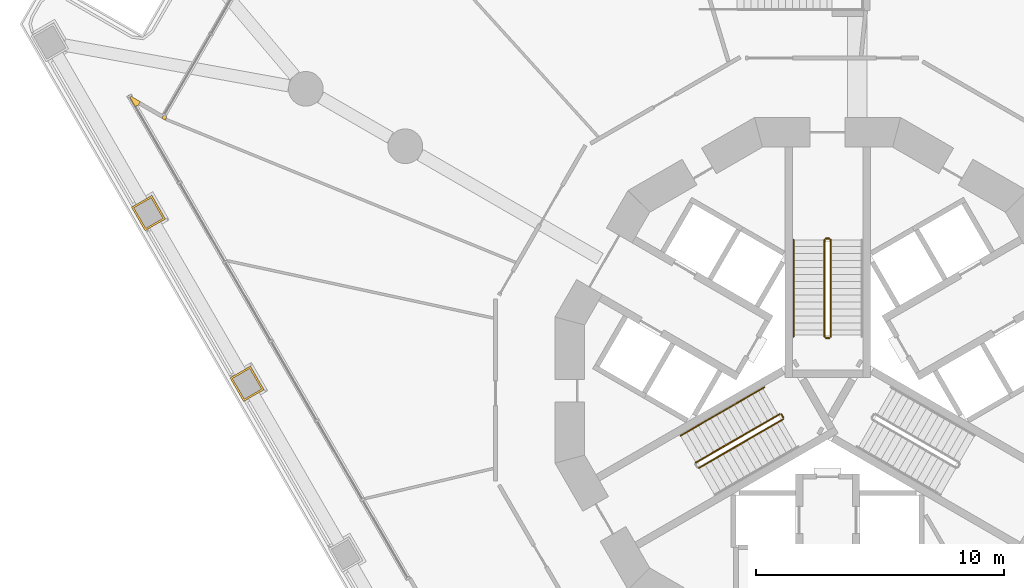
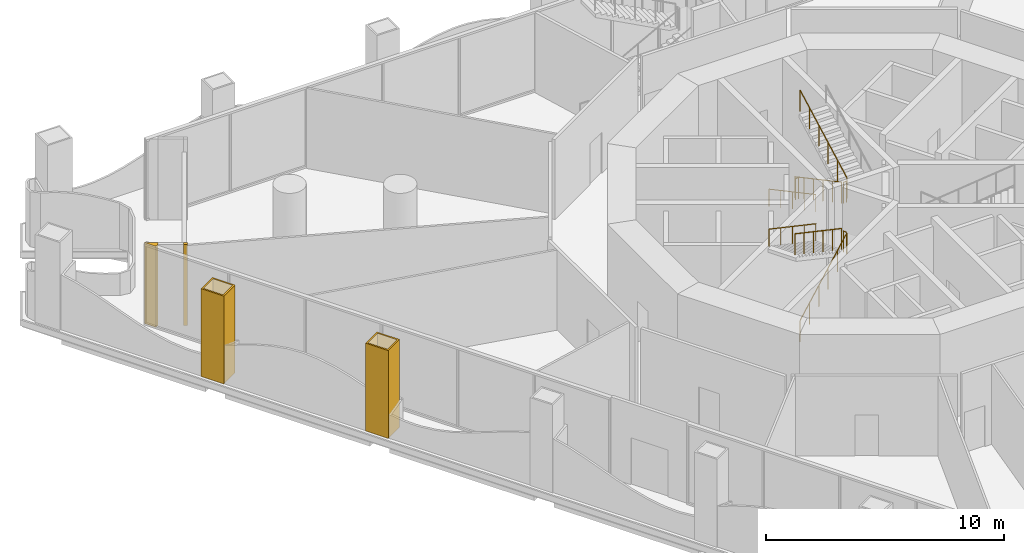
# One storey, part 18 of 21: 10 railings, 4 coverings.
"""IFC4 building model written with IfcOpenShell, lengths in metres."""

from ifc_helpers import new_model, si_unit, direction, frame, origin, origin_2d, place, context, subcontext, project, spatial, polyline, circle, outline, extrude, material, layer, layer_set, type_object, element, save


model = new_model("IFC4")

# Units and contexts
model_context = context("Model", 3, precision=1e-05, world=origin(), true_north=direction((0.0, 1.0)))
body_context = subcontext(model_context, "Body", "Model", "MODEL_VIEW")
ifc_project = project(units=[si_unit("LENGTHUNIT", "METRE"), si_unit("AREAUNIT", "SQUARE_METRE"), si_unit("VOLUMEUNIT", "CUBIC_METRE"), si_unit("PLANEANGLEUNIT", "RADIAN"), si_unit("MASSUNIT", "GRAM", prefix="KILO")], contexts=[model_context])

# Site, building, storey
site_placement = place(None, origin())
site = spatial("IfcSite", under=ifc_project, at=site_placement, CompositionType="ELEMENT")
building_placement = place(site_placement, origin())
building = spatial("IfcBuilding", under=site, at=building_placement, Name="Trine Commons Tower", CompositionType="ELEMENT")
storey_placement = place(building_placement, frame((0.0, 0.0, 9.0)))
storey = spatial("IfcBuildingStorey", under=building, at=storey_placement, Name="L01", CompositionType="ELEMENT", Elevation=9.0)

# Coverings
ifc_material_1 = material(Name="Aluminium-framed insulated wall panel", Category="aluminium")
ifc_layer_1 = layer(ifc_material_1, 0.14990234375)
ifc_layer_set_1 = layer_set([ifc_layer_1], Name="Aluminium-framed insulated wall panel")
covering_type_1 = type_object("IfcCoveringType", Name="Glazing corner post, aluminium", PredefinedType="CLADDING", material=ifc_layer_set_1)
covering_1_placement = place(storey_placement, origin())
element("IfcCovering", 1, at=covering_1_placement, inside=storey, type_object=covering_type_1, Name="Glazing corner post 1-01", PredefinedType="CLADDING", context=body_context, shape_type="SweptSolid", body=[
    extrude(outline(polyline([(51.75634765625, 74.43017578125), (51.75634765625, 74.43017578125), (52.036376953125, 73.9453125), (52.166259765625, 74.020263671875), (52.166259765625, 74.020263671875), (52.166259765625, 74.020263671875), (52.166259765625, 74.020263671875), (52.2412109375, 74.150146484375), (51.75634765625, 74.43017578125)])), origin(), (0.0, 0.0, 1.0), 4.14990234375),
])
covering_2_placement = place(storey_placement, origin())
element("IfcCovering", 2, at=covering_2_placement, inside=storey, type_object=covering_type_1, Name="Glazing corner post 1-02", PredefinedType="CLADDING", context=body_context, shape_type="SweptSolid", body=[
    extrude(outline(polyline([(53.1064453125, 73.4775390625), (53.236328125, 73.402587890625), (53.311279296875, 73.532470703125), (53.181396484375, 73.607421875), (53.1064453125, 73.4775390625)])), origin(), (0.0, 0.0, 1.0), 4.14990234375),
])
ifc_material_2 = material(Name="Limestone, honed", Category="masonry")
ifc_layer_2 = layer(ifc_material_2, 0.074951171875)
ifc_layer_set_2 = layer_set([ifc_layer_2], Name="Limestone, honed")
covering_type_2 = type_object("IfcCoveringType", Name="Limestone column cladding 75", PredefinedType="CLADDING", material=ifc_layer_set_2)
covering_3_placement = place(storey_placement, origin())
element("IfcCovering", 3, at=covering_3_placement, inside=storey, type_object=covering_type_2, Name="Limestone pier cladding 1-06", PredefinedType="CLADDING", context=body_context, shape_type="SweptSolid", body=[
    extrude(outline(polyline([(56.68359375, 63.46630859375), (55.860595703125, 62.9912109375), (56.41064453125, 62.03857421875), (57.2333984375, 62.513671875), (56.68359375, 63.46630859375)]), holes=[polyline([(56.656005859375, 63.36376953125), (55.963134765625, 62.9638671875), (56.438232421875, 62.14111328125), (57.131103515625, 62.541015625), (56.656005859375, 63.36376953125)])]), origin(), (0.0, 0.0, 1.0), 4.5),
])
covering_4_placement = place(storey_placement, origin())
element("IfcCovering", 4, at=covering_4_placement, inside=storey, type_object=covering_type_2, Name="Limestone pier cladding 1-07", PredefinedType="CLADDING", context=body_context, shape_type="SweptSolid", body=[
    extrude(outline(polyline([(52.701904296875, 70.36279296875), (51.87890625, 69.8876953125), (52.428955078125, 68.93505859375), (53.251708984375, 69.41015625), (52.701904296875, 70.36279296875)]), holes=[polyline([(52.67431640625, 70.26025390625), (51.9814453125, 69.8603515625), (52.45654296875, 69.03759765625), (53.1494140625, 69.4375), (52.67431640625, 70.26025390625)])]), origin(), (0.0, 0.0, 1.0), 4.5),
])

# Railings
ifc_material_3 = material(Name="Stainless steel balustrade", Category="steel")
railing_type_1 = type_object("IfcRailingType", Name="Stair guard, steel balustrade 1100", PredefinedType="GUARDRAIL", material=ifc_material_3)
railing_1_placement = place(storey_placement, frame((79.875, 68.570556640625, 0.14990234375)))
element("IfcRailing", 5, at=railing_1_placement, inside=storey, type_object=railing_type_1, Name="L01 ST1A stair guard 1", PredefinedType="GUARDRAIL", context=body_context, shape_type="SweptSolid", body=[
    extrude(circle(Radius=0.02392578125, at=origin_2d()), frame((0.0, 0.0, 1.076171875), z_axis=(0.0, -0.881466911329, 0.472245787945), x_axis=(1.0, 0.0, 0.0)), (0.0, 0.0, 1.0), 4.447021484375),
    extrude(circle(Radius=0.02099609375, at=origin_2d()), origin(), (0.0, 0.0, 1.0), 1.052001953125),
    extrude(circle(Radius=0.02099609375, at=origin_2d()), frame((0.0, -0.783935546875, 0.419921875)), (0.0, 0.0, 1.0), 1.052001953125),
    extrude(circle(Radius=0.02099609375, at=origin_2d()), frame((0.0, -1.56787109375, 0.840087890625)), (0.0, 0.0, 1.0), 1.052001953125),
    extrude(circle(Radius=0.02099609375, at=origin_2d()), frame((0.0, -2.35205078125, 1.260009765625)), (0.0, 0.0, 1.0), 1.052001953125),
    extrude(circle(Radius=0.02099609375, at=origin_2d()), frame((0.0, -3.135986328125, 1.68017578125)), (0.0, 0.0, 1.0), 1.052001953125),
    extrude(circle(Radius=0.02099609375, at=origin_2d()), frame((0.0, -3.919921875, 2.10009765625)), (0.0, 0.0, 1.0), 1.052001953125),
])
railing_2_placement = place(storey_placement, frame((79.925048828125, 64.6005859375, 2.25)))
element("IfcRailing", 6, at=railing_2_placement, inside=storey, type_object=railing_type_1, Name="L01 ST1A stair guard 2", PredefinedType="GUARDRAIL", context=body_context, shape_type="SweptSolid", body=[
    extrude(circle(Radius=0.02392578125, at=origin_2d()), frame((0.0, 0.0, 1.076171875), z_axis=(1.0, 0.0, 0.0), x_axis=(0.0, 1.0, 0.0)), (0.0, 0.0, 1.0), 0.14990234375),
    extrude(circle(Radius=0.02099609375, at=origin_2d()), origin(), (0.0, 0.0, 1.0), 1.052001953125),
    extrude(circle(Radius=0.02099609375, at=origin_2d()), frame((0.14990234375, 0.0, 0.0)), (0.0, 0.0, 1.0), 1.052001953125),
])
railing_3_placement = place(storey_placement, frame((80.125, 64.650634765625, 2.39990234375)))
element("IfcRailing", 7, at=railing_3_placement, inside=storey, type_object=railing_type_1, Name="L01 ST1A stair guard 3", PredefinedType="GUARDRAIL", context=body_context, shape_type="SweptSolid", body=[
    extrude(circle(Radius=0.02392578125, at=origin_2d()), frame((0.0, 0.0, 1.076171875), z_axis=(0.0, 0.881466911329, 0.472245787945), x_axis=(-1.0, 0.0, 0.0)), (0.0, 0.0, 1.0), 4.447021484375),
    extrude(circle(Radius=0.02099609375, at=origin_2d()), origin(), (0.0, 0.0, 1.0), 1.052001953125),
    extrude(circle(Radius=0.02099609375, at=origin_2d()), frame((0.0, 0.783935546875, 0.419921875)), (0.0, 0.0, 1.0), 1.052001953125),
    extrude(circle(Radius=0.02099609375, at=origin_2d()), frame((0.0, 1.56787109375, 0.840087890625)), (0.0, 0.0, 1.0), 1.052001953125),
    extrude(circle(Radius=0.02099609375, at=origin_2d()), frame((0.0, 2.35205078125, 1.260009765625)), (0.0, 0.0, 1.0), 1.052001953125),
    extrude(circle(Radius=0.02099609375, at=origin_2d()), frame((0.0, 3.135986328125, 1.68017578125)), (0.0, 0.0, 1.0), 1.052001953125),
    extrude(circle(Radius=0.02099609375, at=origin_2d()), frame((0.0, 3.919921875, 2.10009765625)), (0.0, 0.0, 1.0), 1.052001953125),
])
railing_4_placement = place(storey_placement, frame((79.925048828125, 68.62060546875, 0.0)))
element("IfcRailing", 8, at=railing_4_placement, inside=storey, type_object=railing_type_1, Name="L01 ST1A stair guard 4", PredefinedType="GUARDRAIL", context=body_context, shape_type="SweptSolid", body=[
    extrude(circle(Radius=0.02392578125, at=origin_2d()), frame((0.0, 0.0, 1.076171875), z_axis=(1.0, 0.0, 0.0), x_axis=(0.0, 1.0, 0.0)), (0.0, 0.0, 1.0), 0.14990234375),
    extrude(circle(Radius=0.02099609375, at=origin_2d()), origin(), (0.0, 0.0, 1.0), 1.052001953125),
    extrude(circle(Radius=0.02099609375, at=origin_2d()), frame((0.14990234375, 0.0, 0.0)), (0.0, 0.0, 1.0), 1.052001953125),
])
railing_5_placement = place(storey_placement, frame((74.80517578125, 59.3564453125, 0.14990234375)))
element("IfcRailing", 9, at=railing_5_placement, inside=storey, type_object=railing_type_1, Name="L01 ST2A stair guard 1", PredefinedType="GUARDRAIL", context=body_context, shape_type="SweptSolid", body=[
    extrude(circle(Radius=0.02392578125, at=origin_2d()), frame((0.0, 0.0, 1.076171875), z_axis=(0.763374939589, 0.440731680332, 0.472243885677), x_axis=(-0.499997407846, 0.86602690036, 0.0)), (0.0, 0.0, 1.0), 4.447021484375),
    extrude(circle(Radius=0.02099609375, at=origin_2d()), origin(), (0.0, 0.0, 1.0), 1.052001953125),
    extrude(circle(Radius=0.02099609375, at=origin_2d()), frame((0.678955078125, 0.39208984375, 0.419921875)), (0.0, 0.0, 1.0), 1.052001953125),
    extrude(circle(Radius=0.02099609375, at=origin_2d()), frame((1.35791015625, 0.783935546875, 0.840087890625)), (0.0, 0.0, 1.0), 1.052001953125),
    extrude(circle(Radius=0.02099609375, at=origin_2d()), frame((2.036865234375, 1.176025390625, 1.260009765625)), (0.0, 0.0, 1.0), 1.052001953125),
    extrude(circle(Radius=0.02099609375, at=origin_2d()), frame((2.7158203125, 1.56787109375, 1.68017578125)), (0.0, 0.0, 1.0), 1.052001953125),
    extrude(circle(Radius=0.02099609375, at=origin_2d()), frame((3.394775390625, 1.9599609375, 2.10009765625)), (0.0, 0.0, 1.0), 1.052001953125),
])
railing_6_placement = place(storey_placement, frame((78.21826171875, 61.384765625, 2.25)))
element("IfcRailing", 10, at=railing_6_placement, inside=storey, type_object=railing_type_1, Name="L01 ST2A stair guard 2", PredefinedType="GUARDRAIL", context=body_context, shape_type="SweptSolid", body=[
    extrude(circle(Radius=0.02392578125, at=origin_2d()), frame((0.0, 0.0, 1.076171875), z_axis=(-0.499816412211, 0.866131372301, 0.0), x_axis=(-0.866131372301, -0.499816412211, 0.0)), (0.0, 0.0, 1.0), 0.14990234375),
    extrude(circle(Radius=0.02099609375, at=origin_2d()), origin(), (0.0, 0.0, 1.0), 1.052001953125),
    extrude(circle(Radius=0.02099609375, at=origin_2d()), frame((-0.074951171875, 0.1298828125, 0.0)), (0.0, 0.0, 1.0), 1.052001953125),
])
railing_7_placement = place(storey_placement, frame((78.074951171875, 61.532958984375, 2.39990234375)))
element("IfcRailing", 11, at=railing_7_placement, inside=storey, type_object=railing_type_1, Name="L01 ST2A stair guard 3", PredefinedType="GUARDRAIL", context=body_context, shape_type="SweptSolid", body=[
    extrude(circle(Radius=0.02392578125, at=origin_2d()), frame((0.0, 0.0, 1.076171875), z_axis=(-0.763374939589, -0.440731680332, 0.472243885677), x_axis=(0.499997407846, -0.86602690036, 0.0)), (0.0, 0.0, 1.0), 4.447021484375),
    extrude(circle(Radius=0.02099609375, at=origin_2d()), origin(), (0.0, 0.0, 1.0), 1.052001953125),
    extrude(circle(Radius=0.02099609375, at=origin_2d()), frame((-0.678955078125, -0.39208984375, 0.419921875)), (0.0, 0.0, 1.0), 1.052001953125),
    extrude(circle(Radius=0.02099609375, at=origin_2d()), frame((-1.35791015625, -0.783935546875, 0.840087890625)), (0.0, 0.0, 1.0), 1.052001953125),
    extrude(circle(Radius=0.02099609375, at=origin_2d()), frame((-2.036865234375, -1.176025390625, 1.260009765625)), (0.0, 0.0, 1.0), 1.052001953125),
    extrude(circle(Radius=0.02099609375, at=origin_2d()), frame((-2.7158203125, -1.56787109375, 1.68017578125)), (0.0, 0.0, 1.0), 1.052001953125),
    extrude(circle(Radius=0.02099609375, at=origin_2d()), frame((-3.394775390625, -1.9599609375, 2.10009765625)), (0.0, 0.0, 1.0), 1.052001953125),
])
ifc_material_4 = material(Name="Stainless steel handrail", Category="steel")
railing_type_2 = type_object("IfcRailingType", Name="Stair handrail, steel 900", PredefinedType="HANDRAIL", material=ifc_material_4)
railing_8_placement = place(storey_placement, frame((78.625, 68.570556640625, 0.14990234375)))
element("IfcRailing", 12, at=railing_8_placement, inside=storey, type_object=railing_type_2, Name="L01 ST1A stair handrail 1", PredefinedType="HANDRAIL", context=body_context, shape_type="SweptSolid", body=[
    extrude(circle(Radius=0.02099609375, at=origin_2d()), frame((0.0, 0.0, 0.87890625), z_axis=(0.0, -0.881466911329, 0.472245787945), x_axis=(1.0, 0.0, 0.0)), (0.0, 0.0, 1.0), 4.447021484375),
    extrude(circle(Radius=0.01513671875, at=origin_2d()), origin(), (0.0, 0.0, 1.0), 0.85791015625),
    extrude(circle(Radius=0.01513671875, at=origin_2d()), frame((0.0, -0.97998046875, 0.52490234375)), (0.0, 0.0, 1.0), 0.85791015625),
    extrude(circle(Radius=0.01513671875, at=origin_2d()), frame((0.0, -1.9599609375, 1.050048828125)), (0.0, 0.0, 1.0), 0.85791015625),
    extrude(circle(Radius=0.01513671875, at=origin_2d()), frame((0.0, -2.93994140625, 1.5751953125)), (0.0, 0.0, 1.0), 0.85791015625),
    extrude(circle(Radius=0.01513671875, at=origin_2d()), frame((0.0, -3.919921875, 2.10009765625)), (0.0, 0.0, 1.0), 0.85791015625),
])
railing_9_placement = place(storey_placement, frame((77.449951171875, 62.615478515625, 2.39990234375)))
element("IfcRailing", 13, at=railing_9_placement, inside=storey, type_object=railing_type_2, Name="L01 ST2A stair handrail 3", PredefinedType="HANDRAIL", context=body_context, shape_type="SweptSolid", body=[
    extrude(circle(Radius=0.02099609375, at=origin_2d()), frame((0.0, 0.0, 0.87890625), z_axis=(-0.763352030933, -0.440750151347, 0.472263677365), x_axis=(0.500024377727, -0.866011328839, 0.0)), (0.0, 0.0, 1.0), 2.223388671875),
    extrude(circle(Radius=0.01513671875, at=origin_2d()), origin(), (0.0, 0.0, 1.0), 0.85791015625),
    extrude(circle(Radius=0.01513671875, at=origin_2d()), frame((-0.8486328125, -0.489990234375, 0.52490234375)), (0.0, 0.0, 1.0), 0.85791015625),
    extrude(circle(Radius=0.01513671875, at=origin_2d()), frame((-1.697265625, -0.97998046875, 1.050048828125)), (0.0, 0.0, 1.0), 0.85791015625),
])
railing_10_placement = place(storey_placement, frame((75.752685546875, 61.635498046875, 3.449951171875)))
element("IfcRailing", 14, at=railing_10_placement, inside=storey, type_object=railing_type_2, Name="L01 ST2A stair handrail 4", PredefinedType="HANDRAIL", context=body_context, shape_type="SweptSolid", body=[
    extrude(circle(Radius=0.02099609375, at=origin_2d()), frame((0.0, 0.0, 0.87890625), z_axis=(-0.763397845365, -0.440713210311, 0.472224095054), x_axis=(0.499970440388, -0.866042469362, 0.0)), (0.0, 0.0, 1.0), 2.2236328125),
    extrude(circle(Radius=0.01513671875, at=origin_2d()), origin(), (0.0, 0.0, 1.0), 0.85791015625),
    extrude(circle(Radius=0.01513671875, at=origin_2d()), frame((-0.8486328125, -0.489990234375, 0.52490234375)), (0.0, 0.0, 1.0), 0.85791015625),
    extrude(circle(Radius=0.01513671875, at=origin_2d()), frame((-1.697509765625, -0.97998046875, 1.050048828125)), (0.0, 0.0, 1.0), 0.85791015625),
])

save(model, "model.ifc")
